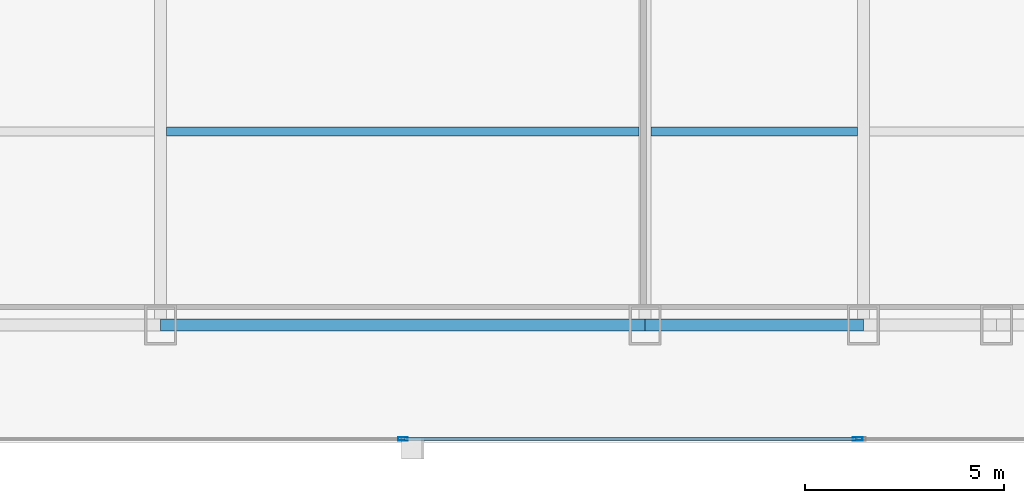
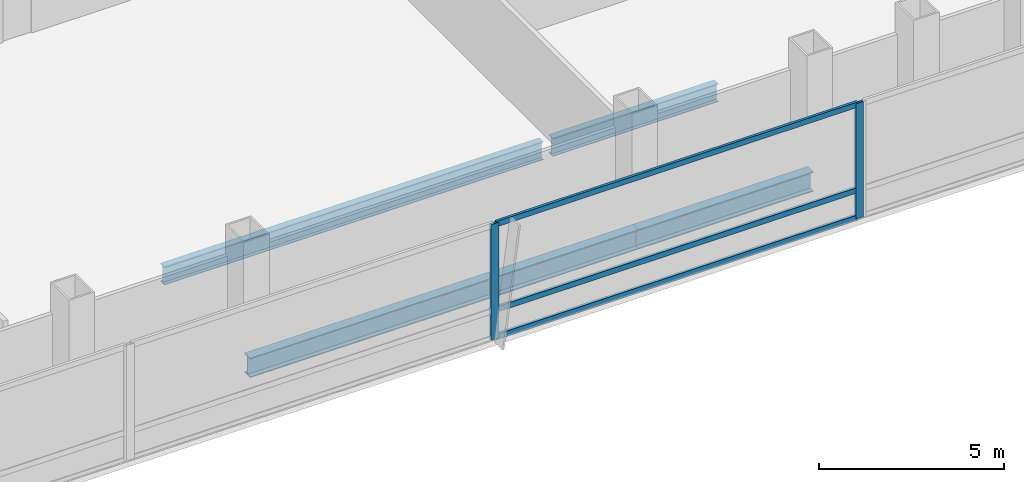
# One storey, part 12 of 32: 5 members, 4 beams, 1 element without a shape of its own.
"""IFC4 building model written with IfcOpenShell, lengths in metres."""

from ifc_helpers import new_model, si_unit, direction, frame, origin, origin_2d, place, context, subcontext, project, spatial, hollow_rectangle, i_section, extrude, material, material_profile, profile_set, type_object, element, aggregate, save


model = new_model("IFC4")

# Units and contexts
model_context = context("Model", 3, precision=1e-05, world=origin(), true_north=direction((0.0, 1.0)))
body_context = subcontext(model_context, "Body", "Model", "MODEL_VIEW")
ifc_project = project(units=[si_unit("LENGTHUNIT", "METRE"), si_unit("AREAUNIT", "SQUARE_METRE"), si_unit("VOLUMEUNIT", "CUBIC_METRE"), si_unit("PLANEANGLEUNIT", "RADIAN"), si_unit("MASSUNIT", "GRAM", prefix="KILO")], contexts=[model_context])

# Site, building, storey
site_placement = place(None, origin())
site = spatial("IfcSite", under=ifc_project, at=site_placement, CompositionType="ELEMENT")
building_placement = place(site_placement, origin())
building = spatial("IfcBuilding", under=site, at=building_placement, Name="Khoronbel Lancet Exchange", CompositionType="ELEMENT")
storey_placement = place(building_placement, frame((0.0, 0.0, 29.800048828125)))
storey = spatial("IfcBuildingStorey", under=building, at=storey_placement, Name="L06", CompositionType="ELEMENT", Elevation=29.800048828125)

# Beams
ifc_material_1 = material(Name="Steel S355", Category="steel")
ifc_material_profile_1 = material_profile(ifc_material_1, i_section(OverallWidth=0.219970703125, OverallDepth=0.60009765625, WebThickness=0.011962890625, FlangeThickness=0.01904296875, at=origin_2d()), Name="IPE 600")
ifc_profile_set_1 = profile_set([ifc_material_profile_1], Name="Steel S355")
beam_type_1 = type_object("IfcBeamType", Name="BM-BJ1", PredefinedType="JOIST", material=ifc_profile_set_1)
beam_1_placement = place(storey_placement, frame((30.52490234375, 15.0, -0.47998046875), z_axis=(1.0, 0.0, 0.0), x_axis=(0.0, 1.0, 0.0)))
element("IfcBeam", 1, at=beam_1_placement, inside=storey, type_object=beam_type_1, Name="Level L06 secondary composite joist J03", PredefinedType="JOIST", context=body_context, shape_type="SweptSolid", body=[
    extrude(i_section(OverallWidth=0.219970703125, OverallDepth=0.60009765625, WebThickness=0.011962890625, FlangeThickness=0.01904296875, at=origin_2d()), origin(), (0.0, 0.0, 1.0), 11.85009765625),
])
beam_2_placement = place(storey_placement, frame((42.675048828125, 15.0, -0.47998046875), z_axis=(1.0, 0.0, 0.0), x_axis=(0.0, 1.0, 0.0)))
element("IfcBeam", 2, at=beam_2_placement, inside=storey, type_object=beam_type_1, Name="Level L06 secondary composite joist J04", PredefinedType="JOIST", context=body_context, shape_type="SweptSolid", body=[
    extrude(i_section(OverallWidth=0.219970703125, OverallDepth=0.60009765625, WebThickness=0.011962890625, FlangeThickness=0.01904296875, at=origin_2d()), origin(), (0.0, 0.0, 1.0), 5.175048828125),
])
ifc_material_profile_2 = material_profile(ifc_material_1, i_section(OverallWidth=0.300048828125, OverallDepth=0.64990234375, WebThickness=0.01611328125, FlangeThickness=0.031005859375, at=origin_2d()), Name="HEB 650")
ifc_profile_set_2 = profile_set([ifc_material_profile_2], Name="Steel S355")
beam_type_2 = type_object("IfcBeamType", Name="BM-BSP1", PredefinedType="SPANDREL", material=ifc_profile_set_2)
beam_3_placement = place(storey_placement, frame((30.375, 10.14990234375, -0.505126953125), z_axis=(1.0, 0.0, 0.0), x_axis=(0.0, 1.0, 0.0)))
element("IfcBeam", 3, at=beam_3_placement, inside=storey, type_object=beam_type_2, Name="Level L06 perimeter spandrel beam SP05", PredefinedType="SPANDREL", context=body_context, shape_type="SweptSolid", body=[
    extrude(i_section(OverallWidth=0.300048828125, OverallDepth=0.64990234375, WebThickness=0.01611328125, FlangeThickness=0.031005859375, at=origin_2d()), origin(), (0.0, 0.0, 1.0), 12.14990234375),
])
beam_4_placement = place(storey_placement, frame((42.52490234375, 10.14990234375, -0.505126953125), z_axis=(1.0, 0.0, 0.0), x_axis=(0.0, 1.0, 0.0)))
element("IfcBeam", 4, at=beam_4_placement, inside=storey, type_object=beam_type_2, Name="Level L06 perimeter spandrel beam SP06", PredefinedType="SPANDREL", context=body_context, shape_type="SweptSolid", body=[
    extrude(i_section(OverallWidth=0.300048828125, OverallDepth=0.64990234375, WebThickness=0.01611328125, FlangeThickness=0.031005859375, at=origin_2d()), origin(), (0.0, 0.0, 1.0), 5.47509765625),
])

# Curtain wall, members
ifc_material_2 = material(Name="Low-E Solar Control Insulating Glass", Category="glass")
curtain_wall_type = type_object("IfcCurtainWallType", Name="CW-1", PredefinedType="NOTDEFINED", material=ifc_material_2)
curtain_wall_placement = place(storey_placement, origin())
curtain_wall = element("IfcCurtainWall", 5, at=curtain_wall_placement, inside=storey, type_object=curtain_wall_type, Name="Unitised curtain wall CW-L06-SCV", PredefinedType="NOTDEFINED")
ifc_material_3 = material(Name="Bronze-Anodised Aluminium 6063-T6", Category="aluminium")
ifc_material_profile_3 = material_profile(ifc_material_3, hollow_rectangle(XDim=0.0849609375, YDim=0.239990234375, WallThickness=0.006103515625, at=origin_2d()), Name="ALU MULLION 85x240")
ifc_profile_set_3 = profile_set([ifc_material_profile_3], Name="Bronze-Anodised Aluminium 6063-T6")
member_type_1 = type_object("IfcMemberType", Name="MEM-CWM1", PredefinedType="MULLION", material=ifc_profile_set_3)
member_1_placement = place(storey_placement, frame((36.449951171875, 7.2900390625, 0.0), z_axis=(0.0, 0.0, 1.0), x_axis=(0.0, 1.0, 0.0)))
member_1 = element("IfcMember", 6, at=member_1_placement, type_object=member_type_1, Name="CW1 mullion 2", PredefinedType="MULLION", context=body_context, shape_type="SweptSolid", body=[
    extrude(hollow_rectangle(XDim=0.0849609375, YDim=0.239990234375, WallThickness=0.006103515625, at=origin_2d()), origin(), (0.0, 0.0, 1.0), 3.820068359375),
])
member_2_placement = place(storey_placement, frame((47.857421875, 7.2900390625, 0.0), z_axis=(0.0, 0.0, 1.0), x_axis=(0.0, 1.0, 0.0)))
member_2 = element("IfcMember", 7, at=member_2_placement, type_object=member_type_1, Name="CW1 mullion 3", PredefinedType="MULLION", context=body_context, shape_type="SweptSolid", body=[
    extrude(hollow_rectangle(XDim=0.0849609375, YDim=0.239990234375, WallThickness=0.006103515625, at=origin_2d()), origin(), (0.0, 0.0, 1.0), 3.820068359375),
])
ifc_material_profile_4 = material_profile(ifc_material_3, hollow_rectangle(XDim=0.0849609375, YDim=0.179931640625, WallThickness=0.0048828125, at=origin_2d()), Name="ALU TRANSOM 85x180")
ifc_profile_set_4 = profile_set([ifc_material_profile_4], Name="Bronze-Anodised Aluminium 6063-T6")
member_type_2 = type_object("IfcMemberType", Name="MEM-CWT1", PredefinedType="USERDEFINED", material=ifc_profile_set_4)
member_3_placement = place(storey_placement, frame((36.492431640625, 7.2900390625, 0.04248046875), z_axis=(1.0, 0.0, 0.0), x_axis=(0.0, 1.0, 0.0)))
member_3 = element("IfcMember", 8, at=member_3_placement, type_object=member_type_2, Name="CW1 transom 2.1", ObjectType="TRANSOM", PredefinedType="USERDEFINED", context=body_context, shape_type="SweptSolid", body=[
    extrude(hollow_rectangle(XDim=0.0849609375, YDim=0.179931640625, WallThickness=0.0048828125, at=origin_2d()), origin(), (0.0, 0.0, 1.0), 11.322509765625),
])
member_4_placement = place(storey_placement, frame((36.492431640625, 7.2900390625, 0.949951171875), z_axis=(1.0, 0.0, 0.0), x_axis=(0.0, 1.0, 0.0)))
member_4 = element("IfcMember", 9, at=member_4_placement, type_object=member_type_2, Name="CW1 transom 2.2", ObjectType="TRANSOM", PredefinedType="USERDEFINED", context=body_context, shape_type="SweptSolid", body=[
    extrude(hollow_rectangle(XDim=0.0849609375, YDim=0.179931640625, WallThickness=0.0048828125, at=origin_2d()), origin(), (0.0, 0.0, 1.0), 11.322509765625),
])
member_5_placement = place(storey_placement, frame((36.492431640625, 7.2900390625, 3.77734375), z_axis=(1.0, 0.0, 0.0), x_axis=(0.0, 1.0, 0.0)))
member_5 = element("IfcMember", 10, at=member_5_placement, type_object=member_type_2, Name="CW1 transom 2.3", ObjectType="TRANSOM", PredefinedType="USERDEFINED", context=body_context, shape_type="SweptSolid", body=[
    extrude(hollow_rectangle(XDim=0.0849609375, YDim=0.179931640625, WallThickness=0.0048828125, at=origin_2d()), origin(), (0.0, 0.0, 1.0), 11.322509765625),
])
aggregate(curtain_wall, [member_1, member_2, member_3, member_4, member_5])

save(model, "model.ifc")
